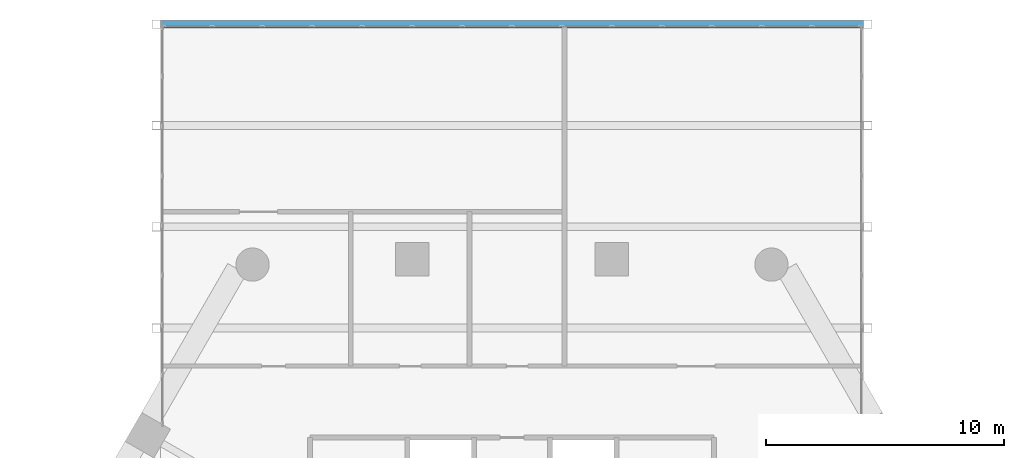
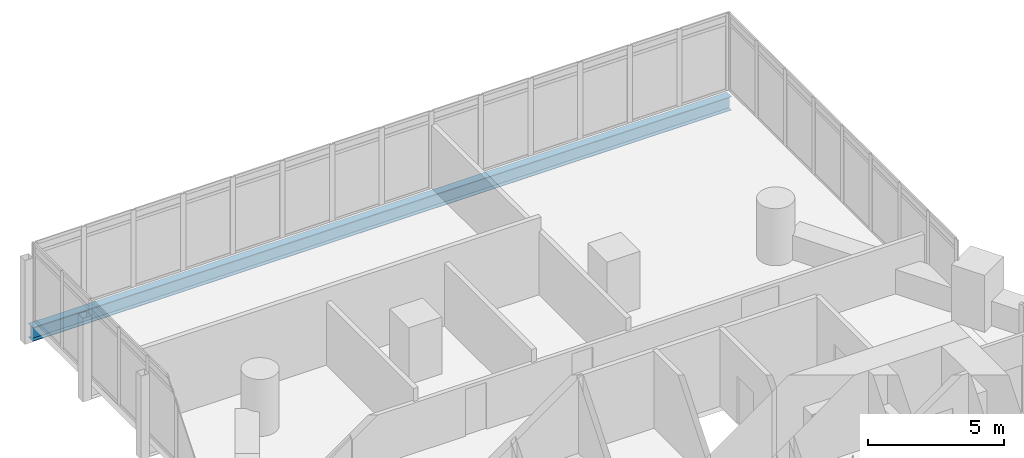
# One storey, part 16 of 28: 1 beam.
"""IFC4 building model written with IfcOpenShell, lengths in metres."""

from ifc_helpers import new_model, si_unit, direction, frame, origin, origin_2d, place, context, subcontext, project, spatial, i_section, extrude, material, material_profile, profile_set, type_object, element, save


model = new_model("IFC4")

# Units and contexts
model_context = context("Model", 3, precision=1e-05, world=origin(), true_north=direction((0.0, 1.0)))
body_context = subcontext(model_context, "Body", "Model", "MODEL_VIEW")
ifc_project = project(units=[si_unit("LENGTHUNIT", "METRE"), si_unit("AREAUNIT", "SQUARE_METRE"), si_unit("VOLUMEUNIT", "CUBIC_METRE"), si_unit("PLANEANGLEUNIT", "RADIAN"), si_unit("MASSUNIT", "GRAM", prefix="KILO")], contexts=[model_context])

# Site, building, storey
site_placement = place(None, origin())
site = spatial("IfcSite", under=ifc_project, at=site_placement, CompositionType="ELEMENT")
building_placement = place(site_placement, origin())
building = spatial("IfcBuilding", under=site, at=building_placement, Name="Ostrander Bayou Hotel Tower", CompositionType="ELEMENT")
storey_placement = place(building_placement, frame((0.0, 0.0, 73.0)))
storey = spatial("IfcBuildingStorey", under=building, at=storey_placement, Name="L18", CompositionType="ELEMENT", Elevation=73.0)

# Beam
ifc_material = material(Name="Steel ASTM A992", Category="steel")
ifc_material_profile = material_profile(ifc_material, i_section(OverallWidth=0.32763671875, OverallDepth=0.621826171875, WebThickness=0.015380859375, FlangeThickness=0.0244140625, at=origin_2d()))
ifc_profile_set = profile_set([ifc_material_profile], Name="Steel ASTM A992")
beam_type = type_object("IfcBeamType", Name="TF1 bar floor beam W24x131", PredefinedType="BEAM", material=ifc_profile_set)
beam_placement = place(storey_placement, frame((-14.787109375, 30.986083984375, -0.61083984375), z_axis=(1.0, 0.0, 0.0), x_axis=(0.0, 1.0, 0.0)))
element("IfcBeam", 1, at=beam_placement, inside=storey, type_object=beam_type, Name="TF1 SB1W L3-1", PredefinedType="BEAM", context=body_context, shape_type="SweptSolid", body=[
    extrude(i_section(OverallWidth=0.32763671875, OverallDepth=0.621826171875, WebThickness=0.015380859375, FlangeThickness=0.0244140625, at=origin_2d()), origin(), (0.0, 0.0, 1.0), 29.57421875),
])

save(model, "model.ifc")
